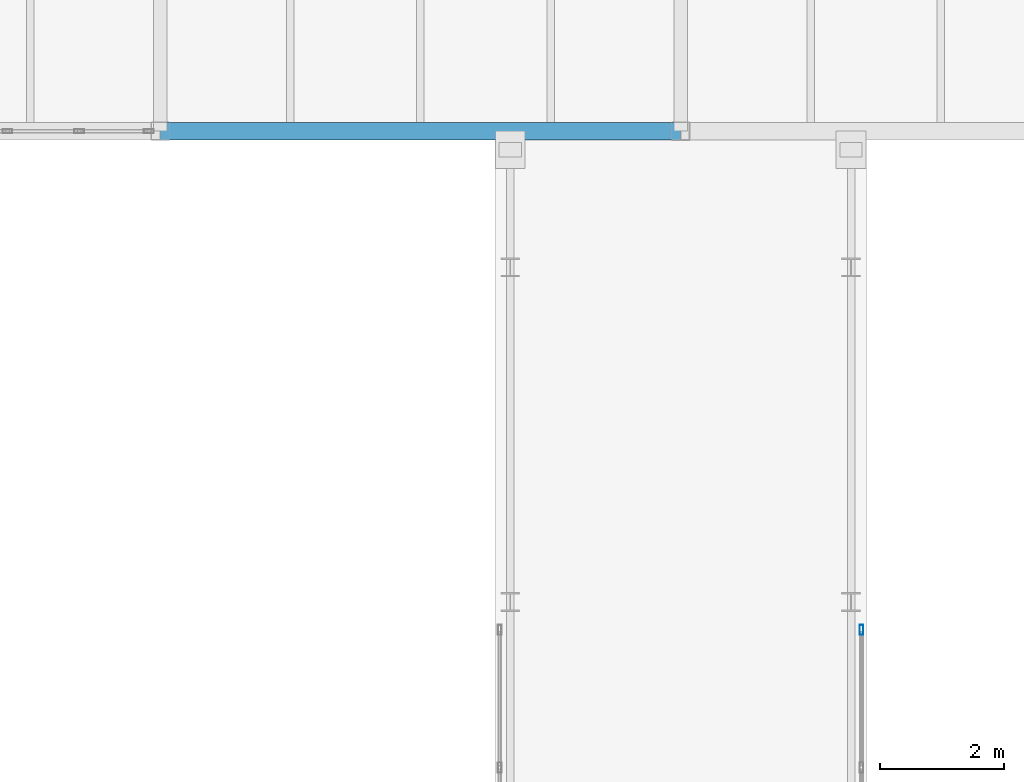
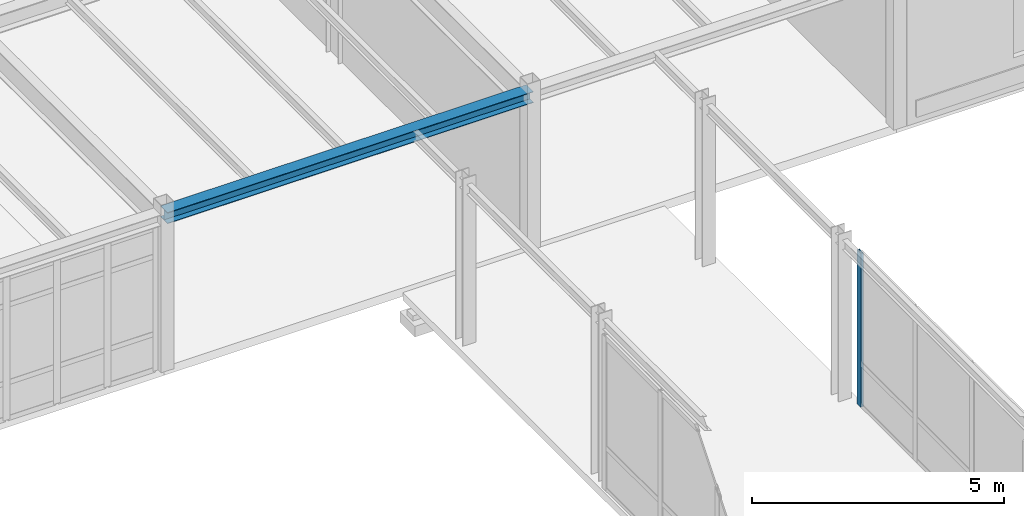
# One storey, part 86 of 165: 1 beam, 1 member, 1 element without a shape of its own.
"""IFC4 building model written with IfcOpenShell, lengths in metres."""

from ifc_helpers import new_model, si_unit, direction, frame, origin, origin_2d, place, context, subcontext, project, spatial, hollow_rectangle, i_section, extrude, material, layer, layer_set, material_profile, profile_set, type_object, element, aggregate, save


model = new_model("IFC4")

# Units and contexts
model_context = context("Model", 3, precision=1e-05, world=origin(), true_north=direction((0.0, 1.0)))
body_context = subcontext(model_context, "Body", "Model", "MODEL_VIEW")
ifc_project = project(units=[si_unit("LENGTHUNIT", "METRE"), si_unit("AREAUNIT", "SQUARE_METRE"), si_unit("VOLUMEUNIT", "CUBIC_METRE"), si_unit("PLANEANGLEUNIT", "RADIAN"), si_unit("MASSUNIT", "GRAM", prefix="KILO")], contexts=[model_context])

# Site, building, storey
site_placement = place(None, origin())
site = spatial("IfcSite", under=ifc_project, at=site_placement, CompositionType="ELEMENT")
building_placement = place(site_placement, origin())
building = spatial("IfcBuilding", under=site, at=building_placement, Name="Montecoro Central Library", CompositionType="ELEMENT")
storey_placement = place(building_placement, frame((0.0, 0.0, 5.10009765625)))
storey = spatial("IfcBuildingStorey", under=building, at=storey_placement, Name="L01", CompositionType="ELEMENT", Elevation=5.10009765625)

# Beam
ifc_material_1 = material(Name="Steel S355", Category="steel")
ifc_material_profile_1 = material_profile(ifc_material_1, i_section(OverallWidth=0.280029296875, OverallDepth=0.27001953125, WebThickness=0.008056640625, FlangeThickness=0.012939453125, at=origin_2d()), Name="HEA 280")
ifc_profile_set_1 = profile_set([ifc_material_profile_1], Name="Steel S355")
beam_type = type_object("IfcBeamType", Name="BM-SP-HEA280", PredefinedType="SPANDREL", material=ifc_profile_set_1)
beam_placement = place(storey_placement, frame((83.205078125, 81.0, 3.68994140625), z_axis=(1.0, 0.0, 0.0), x_axis=(0.0, 1.0, 0.0)))
element("IfcBeam", 1, at=beam_placement, inside=storey, type_object=beam_type, Name="V2-L01-BX-1112-L", PredefinedType="SPANDREL", context=body_context, shape_type="SweptSolid", body=[
    extrude(i_section(OverallWidth=0.280029296875, OverallDepth=0.27001953125, WebThickness=0.008056640625, FlangeThickness=0.012939453125, at=origin_2d()), origin(), (0.0, 0.0, 1.0), 8.389892578125),
])

# Curtain wall, member
ifc_material_2 = material(Name="Bronze-anodised aluminium and low-E glazing", Category="aluminium")
ifc_layer = layer(ifc_material_2, 0.159912109375)
ifc_layer_set = layer_set([ifc_layer], Name="Bronze-anodised aluminium and low-E glazing")
curtain_wall_type = type_object("IfcCurtainWallType", Name="CWT-076", PredefinedType="NOTDEFINED", material=ifc_layer_set)
curtain_wall_placement = place(storey_placement, origin())
curtain_wall = element("IfcCurtainWall", 2, at=curtain_wall_placement, inside=storey, type_object=curtain_wall_type, Name="BR-N-L01-CW-E2", PredefinedType="NOTDEFINED")
ifc_material_3 = material(Name="Bronze-anodised aluminium", Category="aluminium")
ifc_material_profile_2 = material_profile(ifc_material_3, hollow_rectangle(XDim=0.06005859375, YDim=0.159912109375, WallThickness=0.00390625, at=origin_2d()), Name="CWM 160x60x4.0")
ifc_profile_set_2 = profile_set([ifc_material_profile_2], Name="Bronze-anodised aluminium")
member_type = type_object("IfcMemberType", Name="CWM-BRZ-60", PredefinedType="MULLION", material=ifc_profile_set_2)
member_placement = place(storey_placement, frame((94.52001953125, 72.949951171875, 0.0), z_axis=(0.0, 0.0, 1.0), x_axis=(-1.0, 0.0, 0.0)))
member = element("IfcMember", 3, at=member_placement, type_object=member_type, Name="CW-076 mullion 4", PredefinedType="MULLION", context=body_context, shape_type="SweptSolid", body=[
    extrude(hollow_rectangle(XDim=0.06005859375, YDim=0.159912109375, WallThickness=0.00390625, at=origin_2d()), origin(), (0.0, 0.0, 1.0), 3.72998046875),
])
aggregate(curtain_wall, [member])

save(model, "model.ifc")
